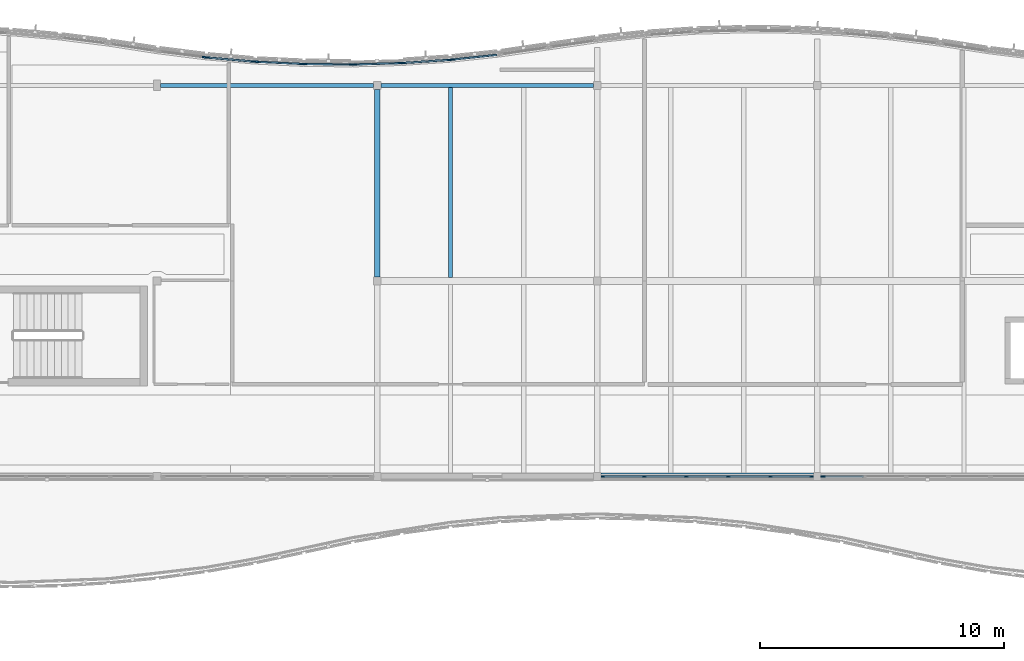
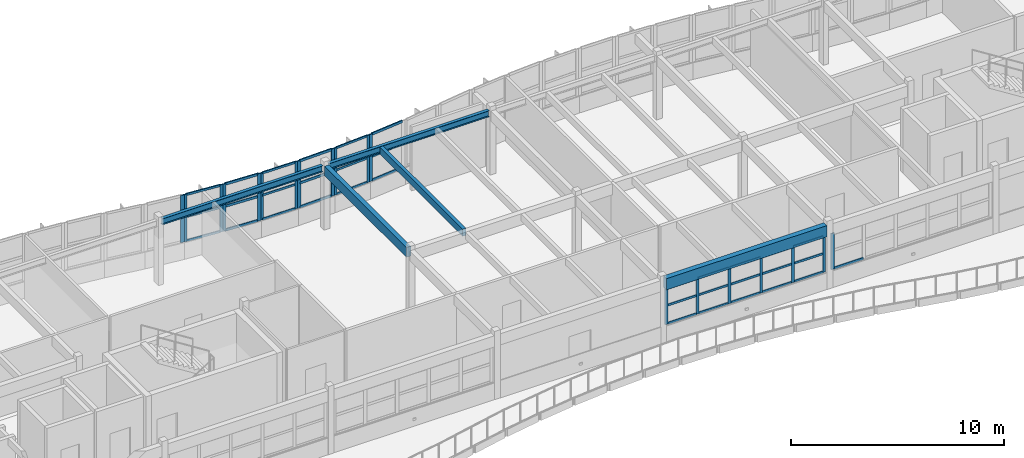
# One storey, part 5 of 33: 53 members, 5 beams, 9 elements without a shape of their own.
"""IFC4 building model written with IfcOpenShell, lengths in metres."""

from ifc_helpers import new_model, si_unit, direction, frame, origin, origin_2d, place, context, subcontext, project, spatial, rectangle, i_section, extrude, material, layer, layer_set, material_profile, profile_set, type_object, element, aggregate, save


model = new_model("IFC4")

# Units and contexts
model_context = context("Model", 3, precision=1e-05, world=origin(), true_north=direction((0.0, 1.0)))
body_context = subcontext(model_context, "Body", "Model", "MODEL_VIEW")
ifc_project = project(units=[si_unit("LENGTHUNIT", "METRE"), si_unit("AREAUNIT", "SQUARE_METRE"), si_unit("VOLUMEUNIT", "CUBIC_METRE"), si_unit("PLANEANGLEUNIT", "RADIAN"), si_unit("MASSUNIT", "GRAM", prefix="KILO")], contexts=[model_context])

# Site, building, storey
site_placement = place(None, origin())
site = spatial("IfcSite", under=ifc_project, at=site_placement, CompositionType="ELEMENT")
building_placement = place(site_placement, origin())
building = spatial("IfcBuilding", under=site, at=building_placement, Name="Tonlespit Floodbar School", CompositionType="ELEMENT")
storey_placement = place(building_placement, frame((0.0, 0.0, 16.199951171875)))
storey = spatial("IfcBuildingStorey", under=building, at=storey_placement, Name="L04", CompositionType="ELEMENT", Elevation=16.199951171875)

# Beams
ifc_material_1 = material(Name="Glulam GL28h", Category="wood")
ifc_material_profile_1 = material_profile(ifc_material_1, rectangle(XDim=0.239990234375, YDim=0.56005859375, at=origin_2d()), Name="GL 240x560")
ifc_profile_set_1 = profile_set([ifc_material_profile_1], Name="Glulam GL28h")
beam_type_1 = type_object("IfcBeamType", Name="Beam_GL_240x560", PredefinedType="BEAM", material=ifc_profile_set_1)
beam_1_placement = place(storey_placement, frame((71.0, 112.159912109375, 3.3701171875), z_axis=(0.0, 1.0, 0.0), x_axis=(-1.0, 0.0, 0.0)))
element("IfcBeam", 1, at=beam_1_placement, inside=storey, type_object=beam_type_1, Name="L04 girder 1313", PredefinedType="BEAM", context=body_context, shape_type="SweptSolid", body=[
    extrude(rectangle(XDim=0.239990234375, YDim=0.56005859375, at=origin_2d()), origin(), (0.0, 0.0, 1.0), 7.68017578125),
])
ifc_material_profile_2 = material_profile(ifc_material_1, rectangle(XDim=0.280029296875, YDim=0.639892578125, at=origin_2d()), Name="GL 280x640")
ifc_profile_set_2 = profile_set([ifc_material_profile_2], Name="Glulam GL28h")
beam_type_2 = type_object("IfcBeamType", Name="Beam_GL_280x640", PredefinedType="BEAM", material=ifc_profile_set_2)
beam_2_placement = place(storey_placement, frame((80.159912109375, 104.0, 3.330078125), z_axis=(1.0, 0.0, 0.0), x_axis=(0.0, 1.0, 0.0)))
element("IfcBeam", 2, at=beam_2_placement, inside=storey, type_object=beam_type_2, Name="L04 girder 1283", PredefinedType="BEAM", context=body_context, shape_type="SweptSolid", body=[
    extrude(rectangle(XDim=0.280029296875, YDim=0.639892578125, at=origin_2d()), origin(), (0.0, 0.0, 1.0), 8.68017578125),
])

# Curtain wall, members
ifc_material_2 = material(Name="Anodised Aluminium", Category="aluminium")
ifc_layer_1 = layer(ifc_material_2, 0.159912109375)
ifc_layer_set_1 = layer_set([ifc_layer_1], Name="Anodised Aluminium")
curtain_wall_type_1 = type_object("IfcCurtainWallType", Name="CurtainWall_1950x2700", PredefinedType="NOTDEFINED", material=ifc_layer_set_1)
curtain_wall_1_placement = place(storey_placement, origin())
curtain_wall_1 = element("IfcCurtainWall", 3, at=curtain_wall_1_placement, inside=storey, type_object=curtain_wall_type_1, Name="L04 unitised curtain wall 0176", PredefinedType="NOTDEFINED")
ifc_material_profile_3 = material_profile(ifc_material_2, rectangle(XDim=0.06494140625, YDim=0.14990234375, at=origin_2d()), Name="ALU M65x150")
ifc_profile_set_3 = profile_set([ifc_material_profile_3], Name="Anodised Aluminium")
member_type_1 = type_object("IfcMemberType", Name="CW_Mullion_65x150", PredefinedType="MULLION", material=ifc_profile_set_3)
member_1_placement = place(storey_placement, frame((64.072265625, 121.135986328125, 0.949951171875), z_axis=(0.0, 0.0, 1.0), x_axis=(0.086531117454, 0.996249148412, 0.0)))
member_1 = element("IfcMember", 4, at=member_1_placement, type_object=member_type_1, Name="CW-04 mullion 1", PredefinedType="MULLION", context=body_context, shape_type="SweptSolid", body=[
    extrude(rectangle(XDim=0.06494140625, YDim=0.14990234375, at=origin_2d()), origin(), (0.0, 0.0, 1.0), 2.7001953125),
])
member_2_placement = place(storey_placement, frame((65.927734375, 120.974853515625, 0.949951171875), z_axis=(0.0, 0.0, 1.0), x_axis=(0.086531117454, 0.996249148412, 0.0)))
member_2 = element("IfcMember", 5, at=member_2_placement, type_object=member_type_1, Name="CW-04 mullion 2", PredefinedType="MULLION", context=body_context, shape_type="SweptSolid", body=[
    extrude(rectangle(XDim=0.06494140625, YDim=0.14990234375, at=origin_2d()), origin(), (0.0, 0.0, 1.0), 2.7001953125),
])

ifc_layer_2 = layer(ifc_material_2, 0.159912109375)
ifc_layer_set_2 = layer_set([ifc_layer_2], Name="Anodised Aluminium")
curtain_wall_type_2 = type_object("IfcCurtainWallType", Name="CurtainWall_1900x2700", PredefinedType="NOTDEFINED", material=ifc_layer_set_2)
curtain_wall_2_placement = place(storey_placement, origin())
curtain_wall_2 = element("IfcCurtainWall", 6, at=curtain_wall_2_placement, inside=storey, type_object=curtain_wall_type_2, Name="L04 unitised curtain wall 0178", PredefinedType="NOTDEFINED")
member_3_placement = place(storey_placement, frame((68.072509765625, 120.87158203125, 0.949951171875), z_axis=(0.0, 0.0, 1.0), x_axis=(0.009582893292, 0.999954083024, 0.0)))
member_3 = element("IfcMember", 7, at=member_3_placement, type_object=member_type_1, Name="CW-05 mullion 1", PredefinedType="MULLION", context=body_context, shape_type="SweptSolid", body=[
    extrude(rectangle(XDim=0.06494140625, YDim=0.14990234375, at=origin_2d()), origin(), (0.0, 0.0, 1.0), 2.7001953125),
])
member_4_placement = place(storey_placement, frame((69.927490234375, 120.853759765625, 0.949951171875), z_axis=(0.0, 0.0, 1.0), x_axis=(0.009582893292, 0.999954083024, 0.0)))
member_4 = element("IfcMember", 8, at=member_4_placement, type_object=member_type_1, Name="CW-05 mullion 2", PredefinedType="MULLION", context=body_context, shape_type="SweptSolid", body=[
    extrude(rectangle(XDim=0.06494140625, YDim=0.14990234375, at=origin_2d()), origin(), (0.0, 0.0, 1.0), 2.7001953125),
])

curtain_wall_3_placement = place(storey_placement, origin())
curtain_wall_3 = element("IfcCurtainWall", 9, at=curtain_wall_3_placement, inside=storey, type_object=curtain_wall_type_2, Name="L04 unitised curtain wall 0180", PredefinedType="NOTDEFINED")
member_5_placement = place(storey_placement, frame((72.072265625, 120.91552734375, 0.949951171875), z_axis=(0.0, 0.0, 1.0), x_axis=(-0.067339767311, 0.99773010165, 0.0)))
member_5 = element("IfcMember", 10, at=member_5_placement, type_object=member_type_1, Name="CW-05 mullion 1", PredefinedType="MULLION", context=body_context, shape_type="SweptSolid", body=[
    extrude(rectangle(XDim=0.06494140625, YDim=0.14990234375, at=origin_2d()), origin(), (0.0, 0.0, 1.0), 2.7001953125),
])
member_6_placement = place(storey_placement, frame((73.927734375, 121.040771484375, 0.949951171875), z_axis=(0.0, 0.0, 1.0), x_axis=(-0.067339767311, 0.99773010165, 0.0)))
member_6 = element("IfcMember", 11, at=member_6_placement, type_object=member_type_1, Name="CW-05 mullion 2", PredefinedType="MULLION", context=body_context, shape_type="SweptSolid", body=[
    extrude(rectangle(XDim=0.06494140625, YDim=0.14990234375, at=origin_2d()), origin(), (0.0, 0.0, 1.0), 2.7001953125),
])

ifc_layer_3 = layer(ifc_material_2, 0.159912109375)
ifc_layer_set_3 = layer_set([ifc_layer_3], Name="Anodised Aluminium")
curtain_wall_type_3 = type_object("IfcCurtainWallType", Name="CurtainWall_8600x2050", PredefinedType="NOTDEFINED", material=ifc_layer_set_3)
curtain_wall_4_placement = place(storey_placement, origin())
curtain_wall_4 = element("IfcCurtainWall", 12, at=curtain_wall_4_placement, inside=storey, type_object=curtain_wall_type_3, Name="L04 unitised curtain wall 0204", PredefinedType="NOTDEFINED")
member_7_placement = place(storey_placement, frame((88.767578125, 104.0, 0.949951171875), z_axis=(0.0, 0.0, 1.0), x_axis=(0.0, -1.0, 0.0)))
member_7 = element("IfcMember", 13, at=member_7_placement, type_object=member_type_1, Name="CW-08 mullion 1", PredefinedType="MULLION", context=body_context, shape_type="SweptSolid", body=[
    extrude(rectangle(XDim=0.06494140625, YDim=0.14990234375, at=origin_2d()), origin(), (0.0, 0.0, 1.0), 2.06005859375),
])
member_8_placement = place(storey_placement, frame((87.080078125, 104.0, 0.949951171875), z_axis=(0.0, 0.0, 1.0), x_axis=(0.0, -1.0, 0.0)))
member_8 = element("IfcMember", 14, at=member_8_placement, type_object=member_type_1, Name="CW-08 mullion 2", PredefinedType="MULLION", context=body_context, shape_type="SweptSolid", body=[
    extrude(rectangle(XDim=0.06494140625, YDim=0.14990234375, at=origin_2d()), origin(), (0.0, 0.0, 1.0), 2.06005859375),
])
member_9_placement = place(storey_placement, frame((85.360107421875, 104.0, 0.949951171875), z_axis=(0.0, 0.0, 1.0), x_axis=(0.0, -1.0, 0.0)))
member_9 = element("IfcMember", 15, at=member_9_placement, type_object=member_type_1, Name="CW-08 mullion 3", PredefinedType="MULLION", context=body_context, shape_type="SweptSolid", body=[
    extrude(rectangle(XDim=0.06494140625, YDim=0.14990234375, at=origin_2d()), origin(), (0.0, 0.0, 1.0), 2.06005859375),
])
member_10_placement = place(storey_placement, frame((83.639892578125, 104.0, 0.949951171875), z_axis=(0.0, 0.0, 1.0), x_axis=(0.0, -1.0, 0.0)))
member_10 = element("IfcMember", 16, at=member_10_placement, type_object=member_type_1, Name="CW-08 mullion 4", PredefinedType="MULLION", context=body_context, shape_type="SweptSolid", body=[
    extrude(rectangle(XDim=0.06494140625, YDim=0.14990234375, at=origin_2d()), origin(), (0.0, 0.0, 1.0), 2.06005859375),
])
member_11_placement = place(storey_placement, frame((81.919921875, 104.0, 0.949951171875), z_axis=(0.0, 0.0, 1.0), x_axis=(0.0, -1.0, 0.0)))
member_11 = element("IfcMember", 17, at=member_11_placement, type_object=member_type_1, Name="CW-08 mullion 5", PredefinedType="MULLION", context=body_context, shape_type="SweptSolid", body=[
    extrude(rectangle(XDim=0.06494140625, YDim=0.14990234375, at=origin_2d()), origin(), (0.0, 0.0, 1.0), 2.06005859375),
])
member_12_placement = place(storey_placement, frame((80.232421875, 104.0, 0.949951171875), z_axis=(0.0, 0.0, 1.0), x_axis=(0.0, -1.0, 0.0)))
member_12 = element("IfcMember", 18, at=member_12_placement, type_object=member_type_1, Name="CW-08 mullion 6", PredefinedType="MULLION", context=body_context, shape_type="SweptSolid", body=[
    extrude(rectangle(XDim=0.06494140625, YDim=0.14990234375, at=origin_2d()), origin(), (0.0, 0.0, 1.0), 2.06005859375),
])

# Curtain wall, member
curtain_wall_5_placement = place(storey_placement, origin())
curtain_wall_5 = element("IfcCurtainWall", 19, at=curtain_wall_5_placement, inside=storey, type_object=curtain_wall_type_1, Name="L04 unitised curtain wall 0175", PredefinedType="NOTDEFINED")
ifc_material_profile_4 = material_profile(ifc_material_2, rectangle(XDim=0.06494140625, YDim=0.179931640625, at=origin_2d()), Name="ALU M65x180")
ifc_profile_set_4 = profile_set([ifc_material_profile_4], Name="Anodised Aluminium")
member_type_2 = type_object("IfcMemberType", Name="CW_Mullion_65x180", PredefinedType="MULLION", material=ifc_profile_set_4)
member_13_placement = place(storey_placement, frame((63.927978515625, 121.1513671875, 0.949951171875), z_axis=(0.0, 0.0, 1.0), x_axis=(0.125013803299, 0.992155002499, 0.0)))
member_13 = element("IfcMember", 20, at=member_13_placement, type_object=member_type_2, Name="CW-04 mullion 2", PredefinedType="MULLION", context=body_context, shape_type="SweptSolid", body=[
    extrude(rectangle(XDim=0.06494140625, YDim=0.179931640625, at=origin_2d()), origin(), (0.0, 0.0, 1.0), 2.7001953125),
])
aggregate(curtain_wall_5, [member_13])

# Curtain wall, members
curtain_wall_6_placement = place(storey_placement, origin())
curtain_wall_6 = element("IfcCurtainWall", 21, at=curtain_wall_6_placement, inside=storey, type_object=curtain_wall_type_2, Name="L04 unitised curtain wall 0177", PredefinedType="NOTDEFINED")
member_14_placement = place(storey_placement, frame((66.072509765625, 120.965087890625, 0.949951171875), z_axis=(0.0, 0.0, 1.0), x_axis=(0.048121270216, 0.998841500616, 0.0)))
member_14 = element("IfcMember", 22, at=member_14_placement, type_object=member_type_2, Name="CW-05 mullion 1", PredefinedType="MULLION", context=body_context, shape_type="SweptSolid", body=[
    extrude(rectangle(XDim=0.06494140625, YDim=0.179931640625, at=origin_2d()), origin(), (0.0, 0.0, 1.0), 2.7001953125),
])
member_15_placement = place(storey_placement, frame((67.927490234375, 120.875732421875, 0.949951171875), z_axis=(0.0, 0.0, 1.0), x_axis=(0.048121270216, 0.998841500616, 0.0)))
member_15 = element("IfcMember", 23, at=member_15_placement, type_object=member_type_2, Name="CW-05 mullion 2", PredefinedType="MULLION", context=body_context, shape_type="SweptSolid", body=[
    extrude(rectangle(XDim=0.06494140625, YDim=0.179931640625, at=origin_2d()), origin(), (0.0, 0.0, 1.0), 2.7001953125),
])

curtain_wall_7_placement = place(storey_placement, origin())
curtain_wall_7 = element("IfcCurtainWall", 24, at=curtain_wall_7_placement, inside=storey, type_object=curtain_wall_type_2, Name="L04 unitised curtain wall 0179", PredefinedType="NOTDEFINED")
member_16_placement = place(storey_placement, frame((70.072509765625, 120.855224609375, 0.949951171875), z_axis=(0.0, 0.0, 1.0), x_axis=(-0.028790144226, 0.999585477883, 0.0)))
member_16 = element("IfcMember", 25, at=member_16_placement, type_object=member_type_2, Name="CW-05 mullion 1", PredefinedType="MULLION", context=body_context, shape_type="SweptSolid", body=[
    extrude(rectangle(XDim=0.06494140625, YDim=0.179931640625, at=origin_2d()), origin(), (0.0, 0.0, 1.0), 2.7001953125),
])
member_17_placement = place(storey_placement, frame((71.927490234375, 120.908447265625, 0.949951171875), z_axis=(0.0, 0.0, 1.0), x_axis=(-0.028790144226, 0.999585477883, 0.0)))
member_17 = element("IfcMember", 26, at=member_17_placement, type_object=member_type_2, Name="CW-05 mullion 2", PredefinedType="MULLION", context=body_context, shape_type="SweptSolid", body=[
    extrude(rectangle(XDim=0.06494140625, YDim=0.179931640625, at=origin_2d()), origin(), (0.0, 0.0, 1.0), 2.7001953125),
])

# Curtain wall, member
curtain_wall_8_placement = place(storey_placement, origin())
curtain_wall_8 = element("IfcCurtainWall", 27, at=curtain_wall_8_placement, inside=storey, type_object=curtain_wall_type_1, Name="L04 unitised curtain wall 0181", PredefinedType="NOTDEFINED")
member_18_placement = place(storey_placement, frame((74.072021484375, 121.05322265625, 0.949951171875), z_axis=(0.0, 0.0, 1.0), x_axis=(-0.105787143968, 0.994388797288, 0.0)))
member_18 = element("IfcMember", 28, at=member_18_placement, type_object=member_type_2, Name="CW-04 mullion 1", PredefinedType="MULLION", context=body_context, shape_type="SweptSolid", body=[
    extrude(rectangle(XDim=0.06494140625, YDim=0.179931640625, at=origin_2d()), origin(), (0.0, 0.0, 1.0), 2.7001953125),
])

curtain_wall_9_placement = place(storey_placement, origin())
curtain_wall_9 = element("IfcCurtainWall", 29, at=curtain_wall_9_placement, inside=storey, type_object=curtain_wall_type_3, Name="L04 unitised curtain wall 0203", PredefinedType="NOTDEFINED")
member_19_placement = place(storey_placement, frame((89.232421875, 104.0, 0.949951171875), z_axis=(0.0, 0.0, 1.0), x_axis=(0.0, -1.0, 0.0)))
member_19 = element("IfcMember", 30, at=member_19_placement, type_object=member_type_2, Name="CW-08 mullion 6", PredefinedType="MULLION", context=body_context, shape_type="SweptSolid", body=[
    extrude(rectangle(XDim=0.06494140625, YDim=0.179931640625, at=origin_2d()), origin(), (0.0, 0.0, 1.0), 2.05810546875),
])

# Member
ifc_material_profile_5 = material_profile(ifc_material_2, rectangle(XDim=0.06494140625, YDim=0.1201171875, at=origin_2d()), Name="ALU T65x120")
ifc_profile_set_5 = profile_set([ifc_material_profile_5], Name="Anodised Aluminium")
member_type_3 = type_object("IfcMemberType", Name="CW_Transom_65x120", PredefinedType="USERDEFINED", material=ifc_profile_set_5)
member_20_placement = place(storey_placement, frame((64.1044921875, 121.133056640625, 0.982666015625), z_axis=(0.996251281774, -0.086506552139, 0.0), x_axis=(0.086506552139, 0.996251281774, 0.0)))
member_20 = element("IfcMember", 31, at=member_20_placement, type_object=member_type_3, Name="CW-04 transom 1.1", ObjectType="TRANSOM", PredefinedType="USERDEFINED", context=body_context, shape_type="SweptSolid", body=[
    extrude(rectangle(XDim=0.06494140625, YDim=0.1201171875, at=origin_2d()), origin(), (0.0, 0.0, 1.0), 1.7978515625),
])

member_21_placement = place(storey_placement, frame((64.1044921875, 121.133056640625, 2.35400390625), z_axis=(0.996251281774, -0.086506552139, 0.0), x_axis=(0.086506552139, 0.996251281774, 0.0)))
member_21 = element("IfcMember", 32, at=member_21_placement, type_object=member_type_3, Name="CW-04 transom 1.2", ObjectType="TRANSOM", PredefinedType="USERDEFINED", context=body_context, shape_type="SweptSolid", body=[
    extrude(rectangle(XDim=0.06494140625, YDim=0.1201171875, at=origin_2d()), origin(), (0.0, 0.0, 1.0), 1.7978515625),
])

member_22_placement = place(storey_placement, frame((64.1044921875, 121.133056640625, 3.617431640625), z_axis=(0.996251281774, -0.086506552139, 0.0), x_axis=(0.086506552139, 0.996251281774, 0.0)))
member_22 = element("IfcMember", 33, at=member_22_placement, type_object=member_type_3, Name="CW-04 transom 1.3", ObjectType="TRANSOM", PredefinedType="USERDEFINED", context=body_context, shape_type="SweptSolid", body=[
    extrude(rectangle(XDim=0.06494140625, YDim=0.1201171875, at=origin_2d()), origin(), (0.0, 0.0, 1.0), 1.7978515625),
])

aggregate(curtain_wall_1, [member_1, member_2, member_20, member_21, member_22])

member_23_placement = place(storey_placement, frame((68.10498046875, 120.87109375, 0.982666015625), z_axis=(0.999954428693, -0.00954675532, 0.0), x_axis=(0.00954675532, 0.999954428693, 0.0)))
member_23 = element("IfcMember", 34, at=member_23_placement, type_object=member_type_3, Name="CW-05 transom 1.1", ObjectType="TRANSOM", PredefinedType="USERDEFINED", context=body_context, shape_type="SweptSolid", body=[
    extrude(rectangle(XDim=0.06494140625, YDim=0.1201171875, at=origin_2d()), origin(), (0.0, 0.0, 1.0), 1.7900390625),
])

member_24_placement = place(storey_placement, frame((68.10498046875, 120.87109375, 2.35400390625), z_axis=(0.999954428693, -0.00954675532, 0.0), x_axis=(0.00954675532, 0.999954428693, 0.0)))
member_24 = element("IfcMember", 35, at=member_24_placement, type_object=member_type_3, Name="CW-05 transom 1.2", ObjectType="TRANSOM", PredefinedType="USERDEFINED", context=body_context, shape_type="SweptSolid", body=[
    extrude(rectangle(XDim=0.06494140625, YDim=0.1201171875, at=origin_2d()), origin(), (0.0, 0.0, 1.0), 1.7900390625),
])

member_25_placement = place(storey_placement, frame((68.10498046875, 120.87109375, 3.617431640625), z_axis=(0.999954428693, -0.00954675532, 0.0), x_axis=(0.00954675532, 0.999954428693, 0.0)))
member_25 = element("IfcMember", 36, at=member_25_placement, type_object=member_type_3, Name="CW-05 transom 1.3", ObjectType="TRANSOM", PredefinedType="USERDEFINED", context=body_context, shape_type="SweptSolid", body=[
    extrude(rectangle(XDim=0.06494140625, YDim=0.1201171875, at=origin_2d()), origin(), (0.0, 0.0, 1.0), 1.7900390625),
])

aggregate(curtain_wall_2, [member_3, member_4, member_23, member_24, member_25])

member_26_placement = place(storey_placement, frame((72.104736328125, 120.917724609375, 0.982666015625), z_axis=(0.997730041674, 0.067340655935, 0.0), x_axis=(-0.067340655935, 0.997730041674, 0.0)))
member_26 = element("IfcMember", 37, at=member_26_placement, type_object=member_type_3, Name="CW-05 transom 1.1", ObjectType="TRANSOM", PredefinedType="USERDEFINED", context=body_context, shape_type="SweptSolid", body=[
    extrude(rectangle(XDim=0.06494140625, YDim=0.1201171875, at=origin_2d()), origin(), (0.0, 0.0, 1.0), 1.794677734375),
])

member_27_placement = place(storey_placement, frame((72.104736328125, 120.917724609375, 2.35400390625), z_axis=(0.997730041674, 0.067340655935, 0.0), x_axis=(-0.067340655935, 0.997730041674, 0.0)))
member_27 = element("IfcMember", 38, at=member_27_placement, type_object=member_type_3, Name="CW-05 transom 1.2", ObjectType="TRANSOM", PredefinedType="USERDEFINED", context=body_context, shape_type="SweptSolid", body=[
    extrude(rectangle(XDim=0.06494140625, YDim=0.1201171875, at=origin_2d()), origin(), (0.0, 0.0, 1.0), 1.794677734375),
])

member_28_placement = place(storey_placement, frame((72.104736328125, 120.917724609375, 3.617431640625), z_axis=(0.997730041674, 0.067340655935, 0.0), x_axis=(-0.067340655935, 0.997730041674, 0.0)))
member_28 = element("IfcMember", 39, at=member_28_placement, type_object=member_type_3, Name="CW-05 transom 1.3", ObjectType="TRANSOM", PredefinedType="USERDEFINED", context=body_context, shape_type="SweptSolid", body=[
    extrude(rectangle(XDim=0.06494140625, YDim=0.1201171875, at=origin_2d()), origin(), (0.0, 0.0, 1.0), 1.794677734375),
])

aggregate(curtain_wall_3, [member_5, member_6, member_26, member_27, member_28])

member_29_placement = place(storey_placement, frame((88.735107421875, 104.0, 0.982666015625), z_axis=(-1.0, 0.0, 0.0), x_axis=(0.0, -1.0, 0.0)))
member_29 = element("IfcMember", 40, at=member_29_placement, type_object=member_type_3, Name="CW-08 transom 1.1", ObjectType="TRANSOM", PredefinedType="USERDEFINED", context=body_context, shape_type="SweptSolid", body=[
    extrude(rectangle(XDim=0.06494140625, YDim=0.1201171875, at=origin_2d()), origin(), (0.0, 0.0, 1.0), 1.62255859375),
])

member_30_placement = place(storey_placement, frame((88.735107421875, 104.0, 2.021240234375), z_axis=(-1.0, 0.0, 0.0), x_axis=(0.0, -1.0, 0.0)))
member_30 = element("IfcMember", 41, at=member_30_placement, type_object=member_type_3, Name="CW-08 transom 1.2", ObjectType="TRANSOM", PredefinedType="USERDEFINED", context=body_context, shape_type="SweptSolid", body=[
    extrude(rectangle(XDim=0.06494140625, YDim=0.1201171875, at=origin_2d()), origin(), (0.0, 0.0, 1.0), 1.62255859375),
])

member_31_placement = place(storey_placement, frame((88.735107421875, 104.0, 2.9775390625), z_axis=(-1.0, 0.0, 0.0), x_axis=(0.0, -1.0, 0.0)))
member_31 = element("IfcMember", 42, at=member_31_placement, type_object=member_type_3, Name="CW-08 transom 1.3", ObjectType="TRANSOM", PredefinedType="USERDEFINED", context=body_context, shape_type="SweptSolid", body=[
    extrude(rectangle(XDim=0.06494140625, YDim=0.1201171875, at=origin_2d()), origin(), (0.0, 0.0, 1.0), 1.62255859375),
])

member_32_placement = place(storey_placement, frame((87.047607421875, 104.0, 0.982666015625), z_axis=(-1.0, 0.0, 0.0), x_axis=(0.0, -1.0, 0.0)))
member_32 = element("IfcMember", 43, at=member_32_placement, type_object=member_type_3, Name="CW-08 transom 2.1", ObjectType="TRANSOM", PredefinedType="USERDEFINED", context=body_context, shape_type="SweptSolid", body=[
    extrude(rectangle(XDim=0.06494140625, YDim=0.1201171875, at=origin_2d()), origin(), (0.0, 0.0, 1.0), 1.655029296875),
])

member_33_placement = place(storey_placement, frame((87.047607421875, 104.0, 2.021240234375), z_axis=(-1.0, 0.0, 0.0), x_axis=(0.0, -1.0, 0.0)))
member_33 = element("IfcMember", 44, at=member_33_placement, type_object=member_type_3, Name="CW-08 transom 2.2", ObjectType="TRANSOM", PredefinedType="USERDEFINED", context=body_context, shape_type="SweptSolid", body=[
    extrude(rectangle(XDim=0.06494140625, YDim=0.1201171875, at=origin_2d()), origin(), (0.0, 0.0, 1.0), 1.655029296875),
])

member_34_placement = place(storey_placement, frame((87.047607421875, 104.0, 2.9775390625), z_axis=(-1.0, 0.0, 0.0), x_axis=(0.0, -1.0, 0.0)))
member_34 = element("IfcMember", 45, at=member_34_placement, type_object=member_type_3, Name="CW-08 transom 2.3", ObjectType="TRANSOM", PredefinedType="USERDEFINED", context=body_context, shape_type="SweptSolid", body=[
    extrude(rectangle(XDim=0.06494140625, YDim=0.1201171875, at=origin_2d()), origin(), (0.0, 0.0, 1.0), 1.655029296875),
])

member_35_placement = place(storey_placement, frame((85.327392578125, 104.0, 0.982666015625), z_axis=(-1.0, 0.0, 0.0), x_axis=(0.0, -1.0, 0.0)))
member_35 = element("IfcMember", 46, at=member_35_placement, type_object=member_type_3, Name="CW-08 transom 3.1", ObjectType="TRANSOM", PredefinedType="USERDEFINED", context=body_context, shape_type="SweptSolid", body=[
    extrude(rectangle(XDim=0.06494140625, YDim=0.1201171875, at=origin_2d()), origin(), (0.0, 0.0, 1.0), 1.65478515625),
])

member_36_placement = place(storey_placement, frame((85.327392578125, 104.0, 2.021240234375), z_axis=(-1.0, 0.0, 0.0), x_axis=(0.0, -1.0, 0.0)))
member_36 = element("IfcMember", 47, at=member_36_placement, type_object=member_type_3, Name="CW-08 transom 3.2", ObjectType="TRANSOM", PredefinedType="USERDEFINED", context=body_context, shape_type="SweptSolid", body=[
    extrude(rectangle(XDim=0.06494140625, YDim=0.1201171875, at=origin_2d()), origin(), (0.0, 0.0, 1.0), 1.65478515625),
])

member_37_placement = place(storey_placement, frame((85.327392578125, 104.0, 2.9775390625), z_axis=(-1.0, 0.0, 0.0), x_axis=(0.0, -1.0, 0.0)))
member_37 = element("IfcMember", 48, at=member_37_placement, type_object=member_type_3, Name="CW-08 transom 3.3", ObjectType="TRANSOM", PredefinedType="USERDEFINED", context=body_context, shape_type="SweptSolid", body=[
    extrude(rectangle(XDim=0.06494140625, YDim=0.1201171875, at=origin_2d()), origin(), (0.0, 0.0, 1.0), 1.65478515625),
])

member_38_placement = place(storey_placement, frame((83.607421875, 104.0, 0.982666015625), z_axis=(-1.0, 0.0, 0.0), x_axis=(0.0, -1.0, 0.0)))
member_38 = element("IfcMember", 49, at=member_38_placement, type_object=member_type_3, Name="CW-08 transom 4.1", ObjectType="TRANSOM", PredefinedType="USERDEFINED", context=body_context, shape_type="SweptSolid", body=[
    extrude(rectangle(XDim=0.06494140625, YDim=0.1201171875, at=origin_2d()), origin(), (0.0, 0.0, 1.0), 1.655029296875),
])

member_39_placement = place(storey_placement, frame((83.607421875, 104.0, 2.021240234375), z_axis=(-1.0, 0.0, 0.0), x_axis=(0.0, -1.0, 0.0)))
member_39 = element("IfcMember", 50, at=member_39_placement, type_object=member_type_3, Name="CW-08 transom 4.2", ObjectType="TRANSOM", PredefinedType="USERDEFINED", context=body_context, shape_type="SweptSolid", body=[
    extrude(rectangle(XDim=0.06494140625, YDim=0.1201171875, at=origin_2d()), origin(), (0.0, 0.0, 1.0), 1.655029296875),
])

member_40_placement = place(storey_placement, frame((83.607421875, 104.0, 2.9775390625), z_axis=(-1.0, 0.0, 0.0), x_axis=(0.0, -1.0, 0.0)))
member_40 = element("IfcMember", 51, at=member_40_placement, type_object=member_type_3, Name="CW-08 transom 4.3", ObjectType="TRANSOM", PredefinedType="USERDEFINED", context=body_context, shape_type="SweptSolid", body=[
    extrude(rectangle(XDim=0.06494140625, YDim=0.1201171875, at=origin_2d()), origin(), (0.0, 0.0, 1.0), 1.655029296875),
])

member_41_placement = place(storey_placement, frame((81.887451171875, 104.0, 0.982666015625), z_axis=(-1.0, 0.0, 0.0), x_axis=(0.0, -1.0, 0.0)))
member_41 = element("IfcMember", 52, at=member_41_placement, type_object=member_type_3, Name="CW-08 transom 5.1", ObjectType="TRANSOM", PredefinedType="USERDEFINED", context=body_context, shape_type="SweptSolid", body=[
    extrude(rectangle(XDim=0.06494140625, YDim=0.1201171875, at=origin_2d()), origin(), (0.0, 0.0, 1.0), 1.62255859375),
])

member_42_placement = place(storey_placement, frame((81.887451171875, 104.0, 2.021240234375), z_axis=(-1.0, 0.0, 0.0), x_axis=(0.0, -1.0, 0.0)))
member_42 = element("IfcMember", 53, at=member_42_placement, type_object=member_type_3, Name="CW-08 transom 5.2", ObjectType="TRANSOM", PredefinedType="USERDEFINED", context=body_context, shape_type="SweptSolid", body=[
    extrude(rectangle(XDim=0.06494140625, YDim=0.1201171875, at=origin_2d()), origin(), (0.0, 0.0, 1.0), 1.62255859375),
])

member_43_placement = place(storey_placement, frame((81.887451171875, 104.0, 2.9775390625), z_axis=(-1.0, 0.0, 0.0), x_axis=(0.0, -1.0, 0.0)))
member_43 = element("IfcMember", 54, at=member_43_placement, type_object=member_type_3, Name="CW-08 transom 5.3", ObjectType="TRANSOM", PredefinedType="USERDEFINED", context=body_context, shape_type="SweptSolid", body=[
    extrude(rectangle(XDim=0.06494140625, YDim=0.1201171875, at=origin_2d()), origin(), (0.0, 0.0, 1.0), 1.62255859375),
])

aggregate(curtain_wall_4, [member_7, member_8, member_9, member_10, member_11, member_12, member_29, member_30, member_31, member_32, member_33, member_34, member_35, member_36, member_37, member_38, member_39, member_40, member_41, member_42, member_43])

ifc_material_profile_6 = material_profile(ifc_material_2, rectangle(XDim=0.06494140625, YDim=0.139892578125, at=origin_2d()), Name="ALU T65x140")
ifc_profile_set_6 = profile_set([ifc_material_profile_6], Name="Anodised Aluminium")
member_type_4 = type_object("IfcMemberType", Name="CW_Transom_65x140", PredefinedType="USERDEFINED", material=ifc_profile_set_6)
member_44_placement = place(storey_placement, frame((66.10498046875, 120.96337890625, 0.982666015625), z_axis=(0.998843034795, -0.048089415069, 0.0), x_axis=(0.048089415069, 0.998843034795, 0.0)))
member_44 = element("IfcMember", 55, at=member_44_placement, type_object=member_type_4, Name="CW-05 transom 1.1", ObjectType="TRANSOM", PredefinedType="USERDEFINED", context=body_context, shape_type="SweptSolid", body=[
    extrude(rectangle(XDim=0.06494140625, YDim=0.139892578125, at=origin_2d()), origin(), (0.0, 0.0, 1.0), 1.7919921875),
])

member_45_placement = place(storey_placement, frame((66.10498046875, 120.96337890625, 2.35400390625), z_axis=(0.998843034795, -0.048089415069, 0.0), x_axis=(0.048089415069, 0.998843034795, 0.0)))
member_45 = element("IfcMember", 56, at=member_45_placement, type_object=member_type_4, Name="CW-05 transom 1.2", ObjectType="TRANSOM", PredefinedType="USERDEFINED", context=body_context, shape_type="SweptSolid", body=[
    extrude(rectangle(XDim=0.06494140625, YDim=0.139892578125, at=origin_2d()), origin(), (0.0, 0.0, 1.0), 1.7919921875),
])

member_46_placement = place(storey_placement, frame((66.10498046875, 120.96337890625, 3.617431640625), z_axis=(0.998843034795, -0.048089415069, 0.0), x_axis=(0.048089415069, 0.998843034795, 0.0)))
member_46 = element("IfcMember", 57, at=member_46_placement, type_object=member_type_4, Name="CW-05 transom 1.3", ObjectType="TRANSOM", PredefinedType="USERDEFINED", context=body_context, shape_type="SweptSolid", body=[
    extrude(rectangle(XDim=0.06494140625, YDim=0.139892578125, at=origin_2d()), origin(), (0.0, 0.0, 1.0), 1.7919921875),
])

aggregate(curtain_wall_6, [member_14, member_15, member_44, member_45, member_46])

member_47_placement = place(storey_placement, frame((70.10498046875, 120.85595703125, 0.982666015625), z_axis=(0.999582242166, 0.028902268868, 0.0), x_axis=(-0.028902268868, 0.999582242166, 0.0)))
member_47 = element("IfcMember", 58, at=member_47_placement, type_object=member_type_4, Name="CW-05 transom 1.1", ObjectType="TRANSOM", PredefinedType="USERDEFINED", context=body_context, shape_type="SweptSolid", body=[
    extrude(rectangle(XDim=0.06494140625, YDim=0.139892578125, at=origin_2d()), origin(), (0.0, 0.0, 1.0), 1.790771484375),
])

member_48_placement = place(storey_placement, frame((70.10498046875, 120.85595703125, 2.35400390625), z_axis=(0.999582242166, 0.028902268868, 0.0), x_axis=(-0.028902268868, 0.999582242166, 0.0)))
member_48 = element("IfcMember", 59, at=member_48_placement, type_object=member_type_4, Name="CW-05 transom 1.2", ObjectType="TRANSOM", PredefinedType="USERDEFINED", context=body_context, shape_type="SweptSolid", body=[
    extrude(rectangle(XDim=0.06494140625, YDim=0.139892578125, at=origin_2d()), origin(), (0.0, 0.0, 1.0), 1.790771484375),
])

member_49_placement = place(storey_placement, frame((70.10498046875, 120.85595703125, 3.617431640625), z_axis=(0.999582242166, 0.028902268868, 0.0), x_axis=(-0.028902268868, 0.999582242166, 0.0)))
member_49 = element("IfcMember", 60, at=member_49_placement, type_object=member_type_4, Name="CW-05 transom 1.3", ObjectType="TRANSOM", PredefinedType="USERDEFINED", context=body_context, shape_type="SweptSolid", body=[
    extrude(rectangle(XDim=0.06494140625, YDim=0.139892578125, at=origin_2d()), origin(), (0.0, 0.0, 1.0), 1.790771484375),
])

aggregate(curtain_wall_7, [member_16, member_17, member_47, member_48, member_49])

member_50_placement = place(storey_placement, frame((74.1044921875, 121.056884765625, 0.982666015625), z_axis=(0.994394979136, 0.105729019047, 0.0), x_axis=(-0.105729019047, 0.994394979136, 0.0)))
member_50 = element("IfcMember", 61, at=member_50_placement, type_object=member_type_4, Name="CW-04 transom 1.1", ObjectType="TRANSOM", PredefinedType="USERDEFINED", context=body_context, shape_type="SweptSolid", body=[
    extrude(rectangle(XDim=0.06494140625, YDim=0.139892578125, at=origin_2d()), origin(), (0.0, 0.0, 1.0), 1.801025390625),
])

member_51_placement = place(storey_placement, frame((74.1044921875, 121.056884765625, 2.35400390625), z_axis=(0.994394979136, 0.105729019047, 0.0), x_axis=(-0.105729019047, 0.994394979136, 0.0)))
member_51 = element("IfcMember", 62, at=member_51_placement, type_object=member_type_4, Name="CW-04 transom 1.2", ObjectType="TRANSOM", PredefinedType="USERDEFINED", context=body_context, shape_type="SweptSolid", body=[
    extrude(rectangle(XDim=0.06494140625, YDim=0.139892578125, at=origin_2d()), origin(), (0.0, 0.0, 1.0), 1.801025390625),
])

member_52_placement = place(storey_placement, frame((74.1044921875, 121.056884765625, 3.617431640625), z_axis=(0.994394979136, 0.105729019047, 0.0), x_axis=(-0.105729019047, 0.994394979136, 0.0)))
member_52 = element("IfcMember", 63, at=member_52_placement, type_object=member_type_4, Name="CW-04 transom 1.3", ObjectType="TRANSOM", PredefinedType="USERDEFINED", context=body_context, shape_type="SweptSolid", body=[
    extrude(rectangle(XDim=0.06494140625, YDim=0.139892578125, at=origin_2d()), origin(), (0.0, 0.0, 1.0), 1.801025390625),
])

aggregate(curtain_wall_8, [member_18, member_50, member_51, member_52])

member_53_placement = place(storey_placement, frame((90.887451171875, 104.0, 0.982666015625), z_axis=(-1.0, 0.0, 0.0), x_axis=(0.0, -1.0, 0.0)))
member_53 = element("IfcMember", 64, at=member_53_placement, type_object=member_type_4, Name="CW-08 transom 5.1", ObjectType="TRANSOM", PredefinedType="USERDEFINED", context=body_context, shape_type="SweptSolid", body=[
    extrude(rectangle(XDim=0.06494140625, YDim=0.139892578125, at=origin_2d()), origin(), (0.0, 0.0, 1.0), 1.62255859375),
])

aggregate(curtain_wall_9, [member_19, member_53])

# Beams
ifc_material_profile_7 = material_profile(ifc_material_1, rectangle(XDim=0.179931640625, YDim=0.39990234375, at=origin_2d()), Name="GL 180x400")
ifc_profile_set_7 = profile_set([ifc_material_profile_7], Name="Glulam GL28h")
beam_type_3 = type_object("IfcBeamType", Name="Joist_GL_180x400", PredefinedType="JOIST", material=ifc_profile_set_7)
beam_3_placement = place(storey_placement, frame((74.0, 112.139892578125, 3.447998046875), z_axis=(0.0, 1.0, 0.0), x_axis=(-1.0, 0.0, 0.0)))
element("IfcBeam", 65, at=beam_3_placement, inside=storey, type_object=beam_type_3, Name="L04 secondary joist 1330", PredefinedType="JOIST", context=body_context, shape_type="SweptSolid", body=[
    extrude(rectangle(XDim=0.179931640625, YDim=0.39990234375, at=origin_2d()), origin(), (0.0, 0.0, 1.0), 7.775146484375),
])
ifc_material_3 = material(Name="Steel S355", Category="steel")
ifc_material_profile_8 = material_profile(ifc_material_3, i_section(OverallWidth=0.169921875, OverallDepth=0.360107421875, WebThickness=0.008056640625, FlangeThickness=0.0126953125, at=origin_2d()), Name="IPE 360")
ifc_profile_set_8 = profile_set([ifc_material_profile_8], Name="Steel S355")
beam_type_4 = type_object("IfcBeamType", Name="Spandrel_STL_IPE360", PredefinedType="SPANDREL", material=ifc_profile_set_8)
beam_4_placement = place(storey_placement, frame((62.139892578125, 120.0, 3.469970703125), z_axis=(1.0, 0.0, 0.0), x_axis=(0.0, 1.0, 0.0)))
element("IfcBeam", 66, at=beam_4_placement, inside=storey, type_object=beam_type_4, Name="L04 girder 1299", PredefinedType="SPANDREL", context=body_context, shape_type="SweptSolid", body=[
    extrude(i_section(OverallWidth=0.169921875, OverallDepth=0.360107421875, WebThickness=0.008056640625, FlangeThickness=0.0126953125, at=origin_2d()), origin(), (0.0, 0.0, 1.0), 8.7001953125),
])
beam_5_placement = place(storey_placement, frame((71.159912109375, 120.0, 3.469970703125), z_axis=(1.0, 0.0, 0.0), x_axis=(0.0, 1.0, 0.0)))
element("IfcBeam", 67, at=beam_5_placement, inside=storey, type_object=beam_type_4, Name="L04 girder 1300", PredefinedType="SPANDREL", context=body_context, shape_type="SweptSolid", body=[
    extrude(i_section(OverallWidth=0.169921875, OverallDepth=0.360107421875, WebThickness=0.008056640625, FlangeThickness=0.0126953125, at=origin_2d()), origin(), (0.0, 0.0, 1.0), 8.68017578125),
])

save(model, "model.ifc")
